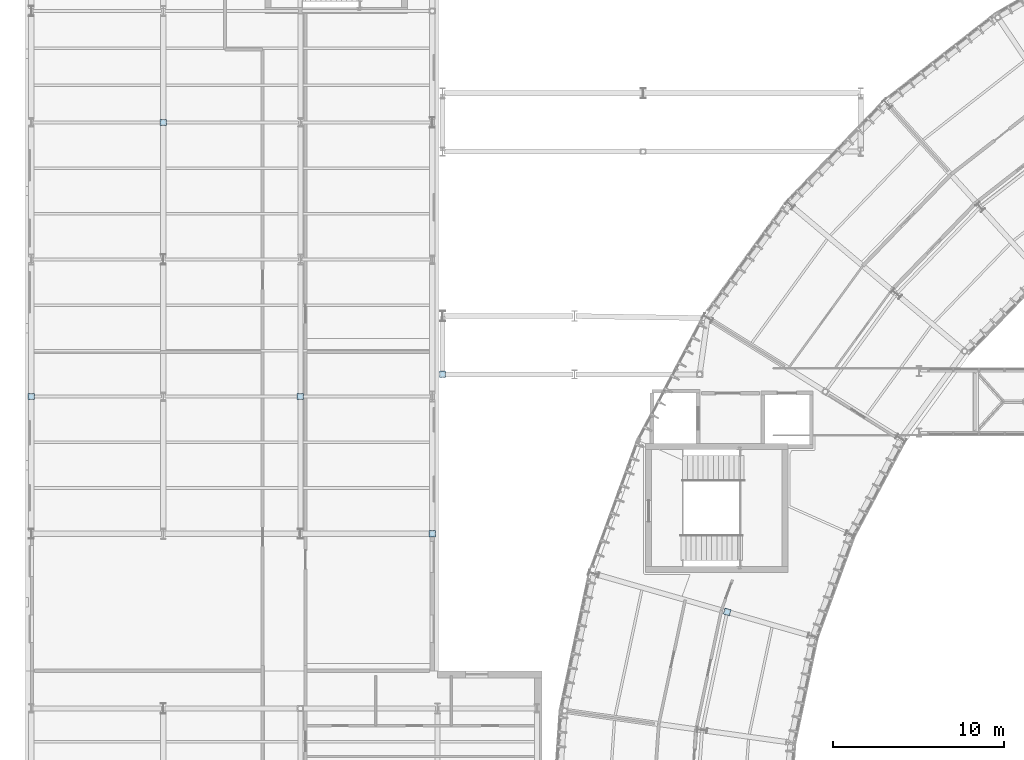
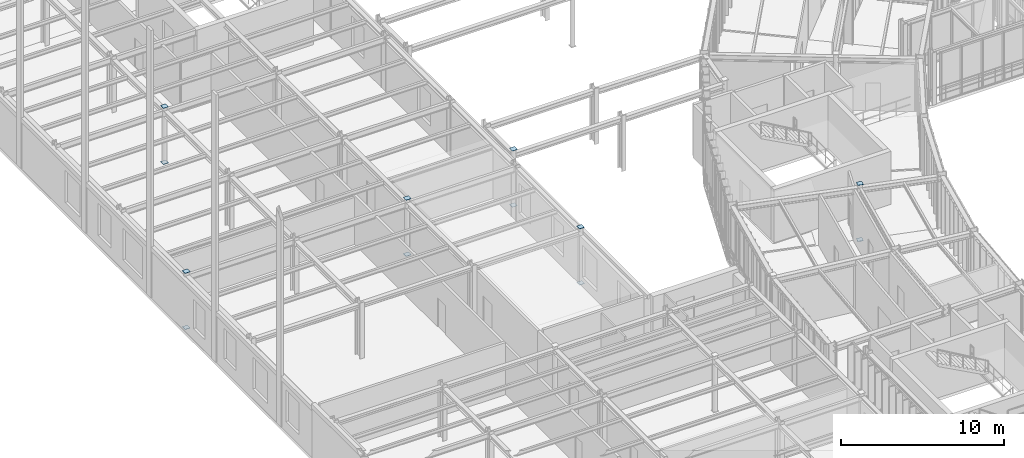
# One storey, part 108 of 148: 12 plates.
"""IFC4 building model written with IfcOpenShell, lengths in metres."""

from ifc_helpers import new_model, si_unit, direction, frame, origin, origin_2d, place, context, subcontext, project, spatial, rectangle, extrude, material, layer, layer_set, type_object, element, save


model = new_model("IFC4")

# Units and contexts
model_context = context("Model", 3, precision=1e-05, world=origin(), true_north=direction((0.0, 1.0)))
body_context = subcontext(model_context, "Body", "Model", "MODEL_VIEW")
ifc_project = project(units=[si_unit("LENGTHUNIT", "METRE"), si_unit("AREAUNIT", "SQUARE_METRE"), si_unit("VOLUMEUNIT", "CUBIC_METRE"), si_unit("PLANEANGLEUNIT", "RADIAN"), si_unit("MASSUNIT", "GRAM", prefix="KILO"), si_unit("THERMODYNAMICTEMPERATUREUNIT", "KELVIN"), si_unit("POWERUNIT", "WATT")], contexts=[model_context])

# Site, building, storey
site_placement = place(None, origin())
site = spatial("IfcSite", under=ifc_project, at=site_placement, CompositionType="ELEMENT")
building_placement = place(site_placement, origin())
building = spatial("IfcBuilding", under=site, at=building_placement, Name="Solvatero Civic Police Headquarters", CompositionType="ELEMENT")
storey_placement = place(building_placement, frame((0.0, 0.0, 5.10009765625)))
storey = spatial("IfcBuildingStorey", under=building, at=storey_placement, Name="L01", CompositionType="ELEMENT", Elevation=5.10009765625)

# Plates
ifc_material = material(Name="Steel S355", Category="steel")
ifc_layer = layer(ifc_material, 0.02001953125)
ifc_layer_set = layer_set([ifc_layer], Name="Steel S355")
plate_type = type_object("IfcPlateType", Name="PLT-CAP-20", PredefinedType="SHEET", material=ifc_layer_set)
for number, where, z_axis, x_axis, name in (
    (1, (45.408203125, 39.93359375, 4.199951171875), (0.0, 0.0, 1.0), (0.275637355817, 0.961261695938, 0.0), "Hollow Section End Cap Plate 0031"),
    (2, (45.408203125, 39.93359375, -0.02001953125), (0.0, 0.0, 1.0), (0.275637355817, 0.961261695938, 0.0), "Hollow Section End Cap Plate 0032"),
    (3, (28.800048828125, 53.800048828125, 4.199951171875), (0.0, 0.0, 1.0), (1.0, 0.0, 0.0), "Hollow Section End Cap Plate 0049"),
    (4, (28.800048828125, 53.800048828125, -0.02001953125), (0.0, 0.0, 1.0), (1.0, 0.0, 0.0), "Hollow Section End Cap Plate 0050"),
    (5, (4.800048828125, 52.5, 4.199951171875), (0.0, 0.0, 1.0), (1.0, 0.0, 0.0), "Hollow Section End Cap Plate 0107"),
    (6, (4.800048828125, 52.5, -0.02001953125), (0.0, 0.0, 1.0), (1.0, 0.0, 0.0), "Hollow Section End Cap Plate 0108"),
    (7, (12.5, 68.5, 4.199951171875), (0.0, 0.0, 1.0), (1.0, 0.0, 0.0), "Hollow Section End Cap Plate 0117"),
    (8, (12.5, 68.5, -0.02001953125), (0.0, 0.0, 1.0), (1.0, 0.0, 0.0), "Hollow Section End Cap Plate 0118"),
    (9, (20.5, 52.5, 4.199951171875), (0.0, 0.0, 1.0), (1.0, 0.0, 0.0), "Hollow Section End Cap Plate 0121"),
    (10, (20.5, 52.5, -0.02001953125), (0.0, 0.0, 1.0), (1.0, 0.0, 0.0), "Hollow Section End Cap Plate 0122"),
    (11, (28.199951171875, 44.5, 4.199951171875), (0.0, 0.0, 1.0), (1.0, 0.0, 0.0), "Hollow Section End Cap Plate 0127"),
    (12, (28.199951171875, 44.5, -0.02001953125), (0.0, 0.0, 1.0), (1.0, 0.0, 0.0), "Hollow Section End Cap Plate 0128"),
):
    element("IfcPlate", number, at=place(storey_placement, frame(where, z_axis=z_axis, x_axis=x_axis)), inside=storey, type_object=plate_type, Name=name, PredefinedType="SHEET", context=body_context, shape_type="SweptSolid", body=[
        extrude(rectangle(XDim=0.364013671875, YDim=0.364013671875, at=origin_2d()), origin(), (0.0, 0.0, 1.0), 0.02001953125),
    ])

save(model, "model.ifc")
